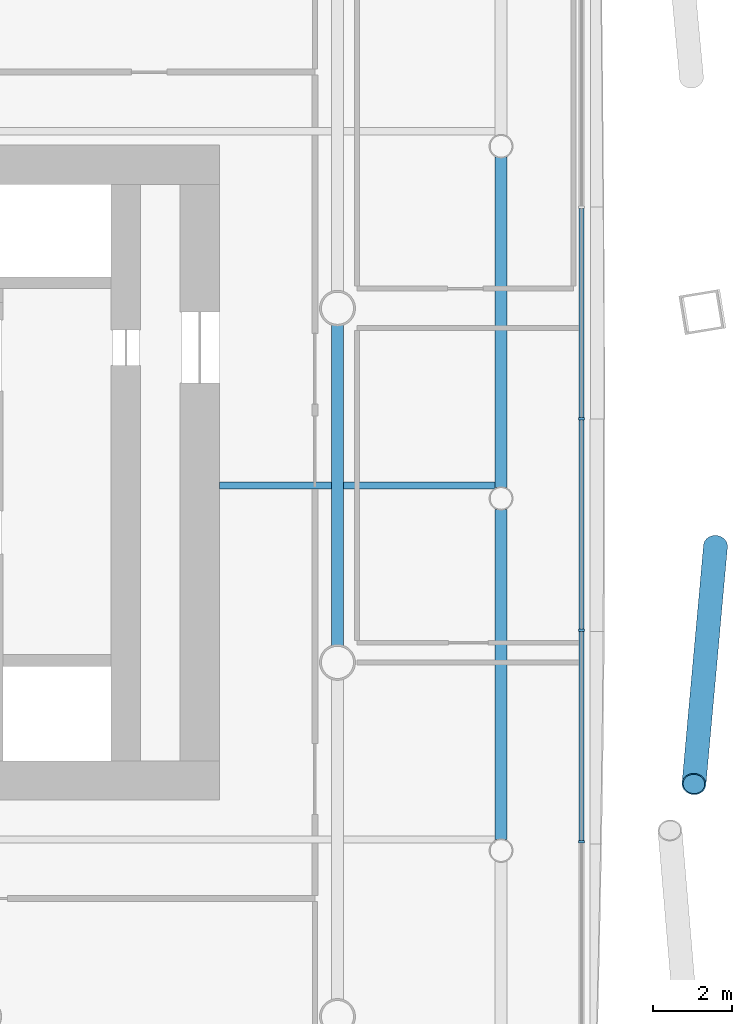
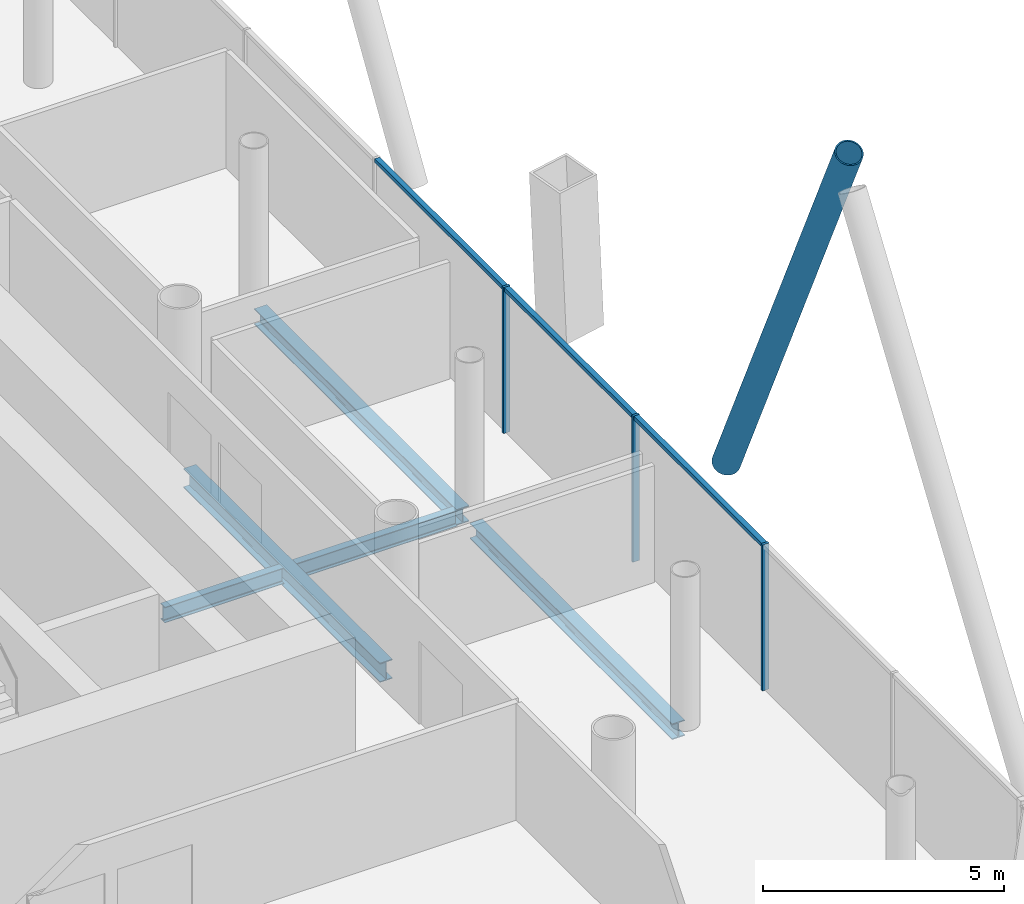
# One storey, part 9 of 25: 7 members, 5 beams, 1 element without a shape of its own.
"""IFC4 building model written with IfcOpenShell, lengths in metres."""

from ifc_helpers import new_model, si_unit, direction, frame, origin, origin_2d, place, context, subcontext, project, spatial, rectangle, hollow_circle, i_section, extrude, material, material_profile, profile_set, type_object, element, aggregate, save


model = new_model("IFC4")

# Units and contexts
model_context = context("Model", 3, precision=1e-05, world=origin(), true_north=direction((0.0, 1.0)))
body_context = subcontext(model_context, "Body", "Model", "MODEL_VIEW")
ifc_project = project(units=[si_unit("LENGTHUNIT", "METRE"), si_unit("AREAUNIT", "SQUARE_METRE"), si_unit("VOLUMEUNIT", "CUBIC_METRE"), si_unit("PLANEANGLEUNIT", "RADIAN"), si_unit("MASSUNIT", "GRAM", prefix="KILO")], contexts=[model_context])

# Site, building, storey
site_placement = place(None, origin())
site = spatial("IfcSite", under=ifc_project, at=site_placement, CompositionType="ELEMENT")
building_placement = place(site_placement, origin())
building = spatial("IfcBuilding", under=site, at=building_placement, Name="Tskaro Facet Tower", CompositionType="ELEMENT")
storey_placement = place(building_placement, frame((0.0, 0.0, 22.5)))
storey = spatial("IfcBuildingStorey", under=building, at=storey_placement, Name="L04", CompositionType="ELEMENT", Elevation=22.5)

# Member
ifc_material_1 = material(Name="Steel S355J2H", Category="steel")
ifc_material_profile_1 = material_profile(ifc_material_1, hollow_circle(Radius=0.304931640625, WallThickness=0.030029296875, at=origin_2d()), Name="CHS 610x30")
ifc_profile_set_1 = profile_set([ifc_material_profile_1], Name="Steel S355J2H")
member_type_1 = type_object("IfcMemberType", Name="CHS 610x30 brace", PredefinedType="BRACE", material=ifc_profile_set_1)
member_1_placement = place(storey_placement, frame((27.607177734375, -6.044921875, 0.0), z_axis=(-0.04154592777, -0.458635183908, 0.887652918639), x_axis=(0.995922167494, -0.090216607637, 0.0)))
element("IfcMember", 1, at=member_1_placement, inside=storey, type_object=member_type_1, Name="CHS 610x30 XB04B/1", PredefinedType="BRACE", context=body_context, shape_type="SweptSolid", body=[
    extrude(hollow_circle(Radius=0.304931640625, WallThickness=0.030029296875, at=origin_2d()), origin(), (0.0, 0.0, 1.0), 13.1806640625),
])

# Curtain wall, members
ifc_material_2 = material(Name="Bronze anodised aluminium 6063-T6", Category="aluminium")
curtain_wall_type = type_object("IfcCurtainWallType", Name="Bronze office curtain wall (FW1)", PredefinedType="NOTDEFINED", material=ifc_material_2)
curtain_wall_placement = place(storey_placement, origin())
curtain_wall = element("IfcCurtainWall", 2, at=curtain_wall_placement, inside=storey, type_object=curtain_wall_type, Name="FW1 east facet L04", PredefinedType="NOTDEFINED")
ifc_material_profile_2 = material_profile(ifc_material_2, rectangle(XDim=0.06005859375, YDim=0.159912109375, at=origin_2d()), Name="Mullion 60x160")
ifc_profile_set_2 = profile_set([ifc_material_profile_2], Name="Bronze anodised aluminium 6063-T6")
member_type_2 = type_object("IfcMemberType", Name="FW1 bronze mullion 60x160", PredefinedType="MULLION", material=ifc_profile_set_2)
member_2_placement = place(storey_placement, frame((24.201904296875, -13.555908203125, 0.0), z_axis=(0.0, 0.0, 1.0), x_axis=(0.0, 1.0, 0.0)))
member_2 = element("IfcMember", 3, at=member_2_placement, type_object=member_type_2, Name="FW1 east mullion 2", PredefinedType="MULLION", context=body_context, shape_type="SweptSolid", body=[
    extrude(rectangle(XDim=0.06005859375, YDim=0.159912109375, at=origin_2d()), origin(), (0.0, 0.0, 1.0), 3.699951171875),
])
member_3_placement = place(storey_placement, frame((24.201904296875, -8.181396484375, 0.0), z_axis=(0.0, 0.0, 1.0), x_axis=(0.0, 1.0, 0.0)))
member_3 = element("IfcMember", 4, at=member_3_placement, type_object=member_type_2, Name="FW1 east mullion 3", PredefinedType="MULLION", context=body_context, shape_type="SweptSolid", body=[
    extrude(rectangle(XDim=0.06005859375, YDim=0.159912109375, at=origin_2d()), origin(), (0.0, 0.0, 1.0), 3.699951171875),
])
member_4_placement = place(storey_placement, frame((24.201904296875, -2.806884765625, 0.0), z_axis=(0.0, 0.0, 1.0), x_axis=(0.0, 1.0, 0.0)))
member_4 = element("IfcMember", 5, at=member_4_placement, type_object=member_type_2, Name="FW1 east mullion 4", PredefinedType="MULLION", context=body_context, shape_type="SweptSolid", body=[
    extrude(rectangle(XDim=0.06005859375, YDim=0.159912109375, at=origin_2d()), origin(), (0.0, 0.0, 1.0), 3.699951171875),
])
ifc_material_profile_3 = material_profile(ifc_material_2, rectangle(XDim=0.1201171875, YDim=0.10009765625, at=origin_2d()), Name="Transom 120x100")
ifc_profile_set_3 = profile_set([ifc_material_profile_3], Name="Bronze anodised aluminium 6063-T6")
member_type_3 = type_object("IfcMemberType", Name="FW1 bronze transom 120x100", PredefinedType="USERDEFINED", material=ifc_profile_set_3)
member_5_placement = place(storey_placement, frame((24.201904296875, -13.52587890625, 3.64990234375), z_axis=(0.0, 1.0, 0.0), x_axis=(-1.0, 0.0, 0.0)))
member_5 = element("IfcMember", 6, at=member_5_placement, type_object=member_type_3, Name="FW1 east transom 3.1", ObjectType="TRANSOM", PredefinedType="USERDEFINED", context=body_context, shape_type="SweptSolid", body=[
    extrude(rectangle(XDim=0.1201171875, YDim=0.10009765625, at=origin_2d()), origin(), (0.0, 0.0, 1.0), 5.314453125),
])
member_6_placement = place(storey_placement, frame((24.201904296875, -8.1513671875, 3.64990234375), z_axis=(0.0, 1.0, 0.0), x_axis=(-1.0, 0.0, 0.0)))
member_6 = element("IfcMember", 7, at=member_6_placement, type_object=member_type_3, Name="FW1 east transom 4.1", ObjectType="TRANSOM", PredefinedType="USERDEFINED", context=body_context, shape_type="SweptSolid", body=[
    extrude(rectangle(XDim=0.1201171875, YDim=0.10009765625, at=origin_2d()), origin(), (0.0, 0.0, 1.0), 5.314697265625),
])
member_7_placement = place(storey_placement, frame((24.201904296875, -2.77685546875, 3.64990234375), z_axis=(0.0, 1.0, 0.0), x_axis=(-1.0, 0.0, 0.0)))
member_7 = element("IfcMember", 8, at=member_7_placement, type_object=member_type_3, Name="FW1 east transom 5.1", ObjectType="TRANSOM", PredefinedType="USERDEFINED", context=body_context, shape_type="SweptSolid", body=[
    extrude(rectangle(XDim=0.1201171875, YDim=0.10009765625, at=origin_2d()), origin(), (0.0, 0.0, 1.0), 5.314697265625),
])
aggregate(curtain_wall, [member_2, member_3, member_4, member_5, member_6, member_7])

# Beams
ifc_material_3 = material(Name="Steel S355J2", Category="steel")
ifc_material_profile_4 = material_profile(ifc_material_3, i_section(OverallWidth=0.300048828125, OverallDepth=0.39990234375, WebThickness=0.013427734375, FlangeThickness=0.02392578125, FilletRadius=0.027099609375, at=origin_2d()), Name="HE 400 B")
ifc_profile_set_4 = profile_set([ifc_material_profile_4], Name="Steel S355J2")
beam_type_1 = type_object("IfcBeamType", Name="HE 400 B ring beam", PredefinedType="BEAM", material=ifc_profile_set_4)
beam_1_placement = place(storey_placement, frame((22.156982421875, -13.506103515625, -0.340087890625), z_axis=(0.0, 1.0, 0.0), x_axis=(-1.0, 0.0, 0.0)))
element("IfcBeam", 9, at=beam_1_placement, inside=storey, type_object=beam_type_1, Name="HE 400 B EB9-1", PredefinedType="BEAM", context=body_context, shape_type="SweptSolid", body=[
    extrude(i_section(OverallWidth=0.300048828125, OverallDepth=0.39990234375, WebThickness=0.013427734375, FlangeThickness=0.02392578125, FilletRadius=0.027099609375, at=origin_2d()), origin(), (0.0, 0.0, 1.0), 8.398193359375),
])
beam_2_placement = place(storey_placement, frame((22.156982421875, -4.55810546875, -0.340087890625), z_axis=(0.0, 1.0, 0.0), x_axis=(-1.0, 0.0, 0.0)))
element("IfcBeam", 10, at=beam_2_placement, inside=storey, type_object=beam_type_1, Name="HE 400 B EB10-1", PredefinedType="BEAM", context=body_context, shape_type="SweptSolid", body=[
    extrude(i_section(OverallWidth=0.300048828125, OverallDepth=0.39990234375, WebThickness=0.013427734375, FlangeThickness=0.02392578125, FilletRadius=0.027099609375, at=origin_2d()), origin(), (0.0, 0.0, 1.0), 8.399169921875),
])
ifc_material_profile_5 = material_profile(ifc_material_3, i_section(OverallWidth=0.300048828125, OverallDepth=0.489990234375, WebThickness=0.011962890625, FlangeThickness=0.02294921875, FilletRadius=0.027099609375, at=origin_2d()), Name="HE 500 A")
ifc_profile_set_5 = profile_set([ifc_material_profile_5], Name="Steel S355J2")
beam_type_2 = type_object("IfcBeamType", Name="HE 500 A girder", PredefinedType="BEAM", material=ifc_profile_set_5)
beam_3_placement = place(storey_placement, frame((18.0, -8.57275390625, -0.385009765625), z_axis=(0.0, 1.0, 0.0), x_axis=(-1.0, 0.0, 0.0)))
element("IfcBeam", 11, at=beam_3_placement, inside=storey, type_object=beam_type_2, Name="HE 500 A GB6-3-1", PredefinedType="BEAM", context=body_context, shape_type="SweptSolid", body=[
    extrude(i_section(OverallWidth=0.300048828125, OverallDepth=0.489990234375, WebThickness=0.011962890625, FlangeThickness=0.02294921875, FilletRadius=0.027099609375, at=origin_2d()), origin(), (0.0, 0.0, 1.0), 8.1455078125),
])
ifc_material_profile_6 = material_profile(ifc_material_3, i_section(OverallWidth=0.179931640625, OverallDepth=0.39990234375, WebThickness=0.008544921875, FlangeThickness=0.013427734375, FilletRadius=0.02099609375, at=origin_2d()), Name="IPE 400")
ifc_profile_set_6 = profile_set([ifc_material_profile_6], Name="Steel S355J2")
beam_type_3 = type_object("IfcBeamType", Name="IPE 400 secondary beam", PredefinedType="BEAM", material=ifc_profile_set_6)
beam_4_placement = place(storey_placement, frame((15.0, -4.5, -0.340087890625), z_axis=(1.0, 0.0, 0.0), x_axis=(0.0, 1.0, 0.0)))
element("IfcBeam", 12, at=beam_4_placement, inside=storey, type_object=beam_type_3, Name="IPE 400 SB3a-3-1", PredefinedType="BEAM", context=body_context, shape_type="SweptSolid", body=[
    extrude(i_section(OverallWidth=0.179931640625, OverallDepth=0.39990234375, WebThickness=0.008544921875, FlangeThickness=0.013427734375, FilletRadius=0.02099609375, at=origin_2d()), origin(), (0.0, 0.0, 1.0), 2.85009765625),
])
beam_5_placement = place(storey_placement, frame((18.14990234375, -4.5, -0.340087890625), z_axis=(1.0, 0.0, 0.0), x_axis=(0.0, 1.0, 0.0)))
element("IfcBeam", 13, at=beam_5_placement, inside=storey, type_object=beam_type_3, Name="IPE 400 SB3a-4-1", PredefinedType="BEAM", context=body_context, shape_type="SweptSolid", body=[
    extrude(i_section(OverallWidth=0.179931640625, OverallDepth=0.39990234375, WebThickness=0.008544921875, FlangeThickness=0.013427734375, FilletRadius=0.02099609375, at=origin_2d()), origin(), (0.0, 0.0, 1.0), 3.857177734375),
])

save(model, "model.ifc")
